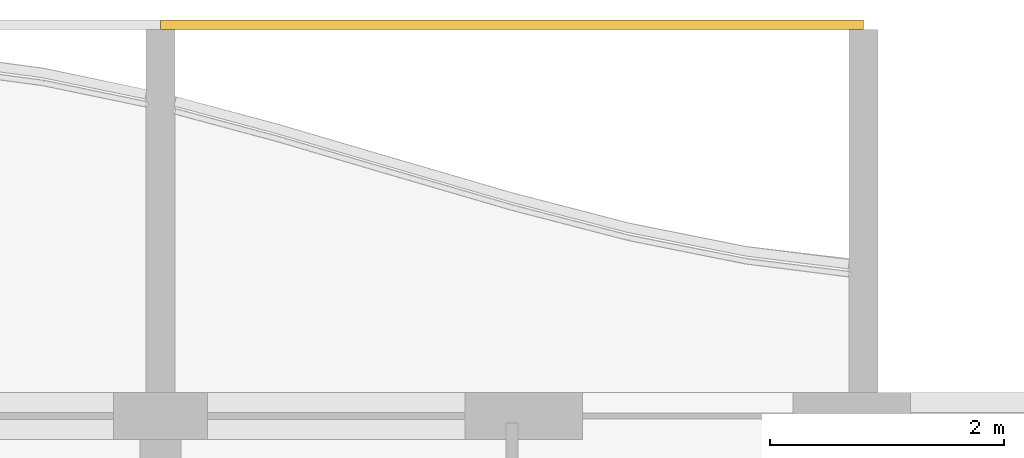
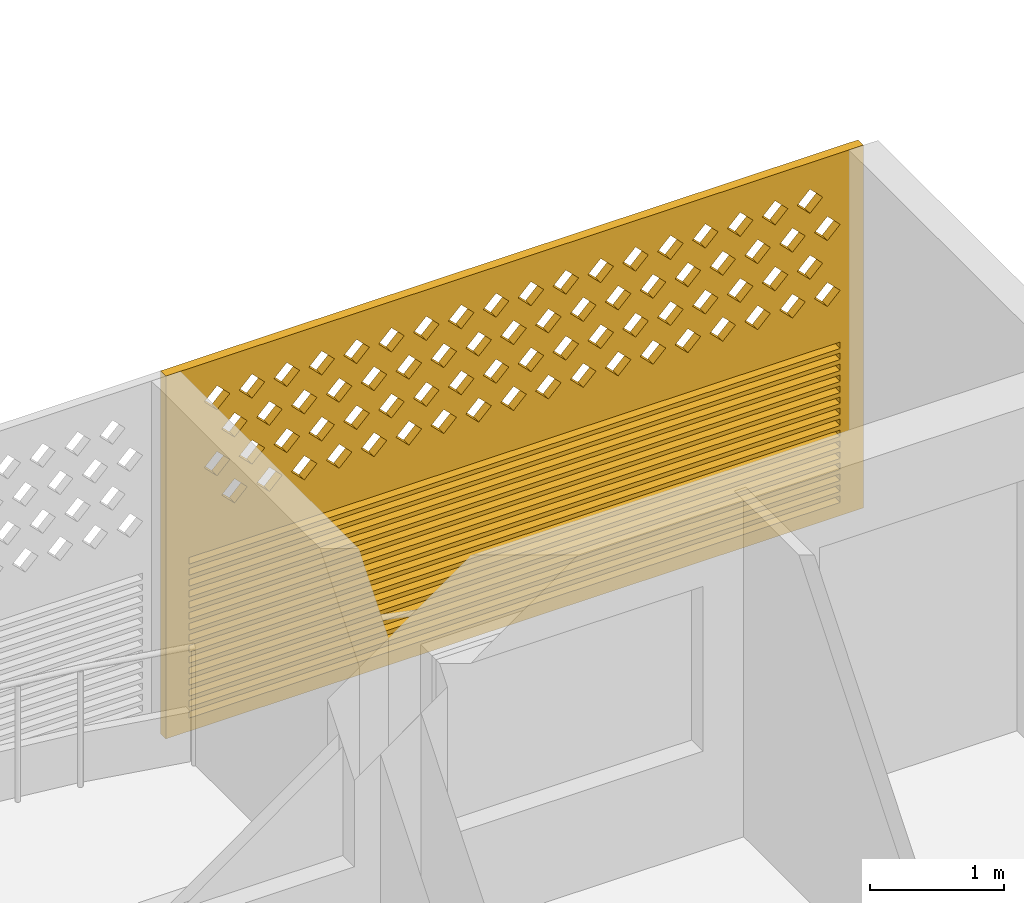
# One storey, part 24 of 29: 1 covering.
"""IFC4 building model written with IfcOpenShell, lengths in metres."""

from ifc_helpers import new_model, si_unit, direction, frame, origin, place, context, subcontext, project, spatial, polyline, outline, extrude, source, transform, mapped, material, material_profile, profile_set, type_object, element, save


model = new_model("IFC4")

# Units and contexts
model_context = context("Model", 3, precision=1e-05, world=origin(), true_north=direction((0.0, 1.0)))
body_context = subcontext(model_context, "Body", "Model", "MODEL_VIEW")
ifc_project = project(units=[si_unit("LENGTHUNIT", "METRE"), si_unit("AREAUNIT", "SQUARE_METRE"), si_unit("VOLUMEUNIT", "CUBIC_METRE"), si_unit("PLANEANGLEUNIT", "RADIAN"), si_unit("MASSUNIT", "GRAM", prefix="KILO")], contexts=[model_context])

# Site, building, storey
site_placement = place(None, origin())
site = spatial("IfcSite", under=ifc_project, at=site_placement, CompositionType="ELEMENT")
building_placement = place(site_placement, origin())
building = spatial("IfcBuilding", under=site, at=building_placement, Name="Poui Terraces", CompositionType="ELEMENT")
storey_placement = place(building_placement, frame((0.0, 0.0, 86.10009765625)))
storey = spatial("IfcBuildingStorey", under=building, at=storey_placement, Name="L23", CompositionType="ELEMENT", Elevation=86.10009765625)

# Covering
ifc_material = material(Name="Terracotta screen", Category="masonry")
ifc_material_profile = material_profile(ifc_material, outline(polyline([(-3.0, -1.64990234375), (3.0, -1.64990234375), (3.0, 1.64990234375), (-3.0, 1.64990234375), (-3.0, -1.64990234375)]), holes=[polyline([(-2.800048828125, 0.39990234375), (-2.68994140625, 0.2900390625), (-2.580078125, 0.39990234375), (-2.68994140625, 0.510009765625), (-2.800048828125, 0.39990234375)]), polyline([(-2.5, 0.39990234375), (-2.389892578125, 0.2900390625), (-2.280029296875, 0.39990234375), (-2.389892578125, 0.510009765625), (-2.5, 0.39990234375)]), polyline([(-2.199951171875, 0.39990234375), (-2.090087890625, 0.2900390625), (-1.97998046875, 0.39990234375), (-2.090087890625, 0.510009765625), (-2.199951171875, 0.39990234375)]), polyline([(-1.89990234375, 0.39990234375), (-1.7900390625, 0.2900390625), (-1.679931640625, 0.39990234375), (-1.7900390625, 0.510009765625), (-1.89990234375, 0.39990234375)]), polyline([(-1.60009765625, 0.39990234375), (-1.489990234375, 0.2900390625), (-1.3798828125, 0.39990234375), (-1.489990234375, 0.510009765625), (-1.60009765625, 0.39990234375)]), polyline([(-1.300048828125, 0.39990234375), (-1.18994140625, 0.2900390625), (-1.080078125, 0.39990234375), (-1.18994140625, 0.510009765625), (-1.300048828125, 0.39990234375)]), polyline([(-1.0, 0.39990234375), (-0.889892578125, 0.2900390625), (-0.780029296875, 0.39990234375), (-0.889892578125, 0.510009765625), (-1.0, 0.39990234375)]), polyline([(-0.699951171875, 0.39990234375), (-0.590087890625, 0.2900390625), (-0.47998046875, 0.39990234375), (-0.590087890625, 0.510009765625), (-0.699951171875, 0.39990234375)]), polyline([(-0.39990234375, 0.39990234375), (-0.2900390625, 0.2900390625), (-0.179931640625, 0.39990234375), (-0.2900390625, 0.510009765625), (-0.39990234375, 0.39990234375)]), polyline([(-0.10009765625, 0.39990234375), (0.010009765625, 0.2900390625), (0.1201171875, 0.39990234375), (0.010009765625, 0.510009765625), (-0.10009765625, 0.39990234375)]), polyline([(0.199951171875, 0.39990234375), (0.31005859375, 0.2900390625), (0.419921875, 0.39990234375), (0.31005859375, 0.510009765625), (0.199951171875, 0.39990234375)]), polyline([(0.5, 0.39990234375), (0.610107421875, 0.2900390625), (0.719970703125, 0.39990234375), (0.610107421875, 0.510009765625), (0.5, 0.39990234375)]), polyline([(0.800048828125, 0.39990234375), (0.909912109375, 0.2900390625), (1.02001953125, 0.39990234375), (0.909912109375, 0.510009765625), (0.800048828125, 0.39990234375)]), polyline([(1.10009765625, 0.39990234375), (1.2099609375, 0.2900390625), (1.320068359375, 0.39990234375), (1.2099609375, 0.510009765625), (1.10009765625, 0.39990234375)]), polyline([(1.39990234375, 0.39990234375), (1.510009765625, 0.2900390625), (1.6201171875, 0.39990234375), (1.510009765625, 0.510009765625), (1.39990234375, 0.39990234375)]), polyline([(1.699951171875, 0.39990234375), (1.81005859375, 0.2900390625), (1.919921875, 0.39990234375), (1.81005859375, 0.510009765625), (1.699951171875, 0.39990234375)]), polyline([(2.0, 0.39990234375), (2.110107421875, 0.2900390625), (2.219970703125, 0.39990234375), (2.110107421875, 0.510009765625), (2.0, 0.39990234375)]), polyline([(2.300048828125, 0.39990234375), (2.409912109375, 0.2900390625), (2.52001953125, 0.39990234375), (2.409912109375, 0.510009765625), (2.300048828125, 0.39990234375)]), polyline([(-2.64990234375, 0.699951171875), (-2.5400390625, 0.590087890625), (-2.429931640625, 0.699951171875), (-2.5400390625, 0.81005859375), (-2.64990234375, 0.699951171875)]), polyline([(-2.35009765625, 0.699951171875), (-2.239990234375, 0.590087890625), (-2.1298828125, 0.699951171875), (-2.239990234375, 0.81005859375), (-2.35009765625, 0.699951171875)]), polyline([(-2.050048828125, 0.699951171875), (-1.93994140625, 0.590087890625), (-1.830078125, 0.699951171875), (-1.93994140625, 0.81005859375), (-2.050048828125, 0.699951171875)]), polyline([(-1.75, 0.699951171875), (-1.639892578125, 0.590087890625), (-1.530029296875, 0.699951171875), (-1.639892578125, 0.81005859375), (-1.75, 0.699951171875)]), polyline([(-1.449951171875, 0.699951171875), (-1.340087890625, 0.590087890625), (-1.22998046875, 0.699951171875), (-1.340087890625, 0.81005859375), (-1.449951171875, 0.699951171875)]), polyline([(-1.14990234375, 0.699951171875), (-1.0400390625, 0.590087890625), (-0.929931640625, 0.699951171875), (-1.0400390625, 0.81005859375), (-1.14990234375, 0.699951171875)]), polyline([(-0.85009765625, 0.699951171875), (-0.739990234375, 0.590087890625), (-0.6298828125, 0.699951171875), (-0.739990234375, 0.81005859375), (-0.85009765625, 0.699951171875)]), polyline([(-0.550048828125, 0.699951171875), (-0.43994140625, 0.590087890625), (-0.330078125, 0.699951171875), (-0.43994140625, 0.81005859375), (-0.550048828125, 0.699951171875)]), polyline([(-0.25, 0.699951171875), (-0.139892578125, 0.590087890625), (-0.030029296875, 0.699951171875), (-0.139892578125, 0.81005859375), (-0.25, 0.699951171875)]), polyline([(0.050048828125, 0.699951171875), (0.159912109375, 0.590087890625), (0.27001953125, 0.699951171875), (0.159912109375, 0.81005859375), (0.050048828125, 0.699951171875)]), polyline([(0.35009765625, 0.699951171875), (0.4599609375, 0.590087890625), (0.570068359375, 0.699951171875), (0.4599609375, 0.81005859375), (0.35009765625, 0.699951171875)]), polyline([(0.64990234375, 0.699951171875), (0.760009765625, 0.590087890625), (0.8701171875, 0.699951171875), (0.760009765625, 0.81005859375), (0.64990234375, 0.699951171875)]), polyline([(0.949951171875, 0.699951171875), (1.06005859375, 0.590087890625), (1.169921875, 0.699951171875), (1.06005859375, 0.81005859375), (0.949951171875, 0.699951171875)]), polyline([(1.25, 0.699951171875), (1.360107421875, 0.590087890625), (1.469970703125, 0.699951171875), (1.360107421875, 0.81005859375), (1.25, 0.699951171875)]), polyline([(1.550048828125, 0.699951171875), (1.659912109375, 0.590087890625), (1.77001953125, 0.699951171875), (1.659912109375, 0.81005859375), (1.550048828125, 0.699951171875)]), polyline([(1.85009765625, 0.699951171875), (1.9599609375, 0.590087890625), (2.070068359375, 0.699951171875), (1.9599609375, 0.81005859375), (1.85009765625, 0.699951171875)]), polyline([(2.14990234375, 0.699951171875), (2.260009765625, 0.590087890625), (2.3701171875, 0.699951171875), (2.260009765625, 0.81005859375), (2.14990234375, 0.699951171875)]), polyline([(2.449951171875, 0.699951171875), (2.56005859375, 0.590087890625), (2.669921875, 0.699951171875), (2.56005859375, 0.81005859375), (2.449951171875, 0.699951171875)]), polyline([(-2.800048828125, 1.0), (-2.68994140625, 0.889892578125), (-2.580078125, 1.0), (-2.68994140625, 1.110107421875), (-2.800048828125, 1.0)]), polyline([(-2.5, 1.0), (-2.389892578125, 0.889892578125), (-2.280029296875, 1.0), (-2.389892578125, 1.110107421875), (-2.5, 1.0)]), polyline([(-2.199951171875, 1.0), (-2.090087890625, 0.889892578125), (-1.97998046875, 1.0), (-2.090087890625, 1.110107421875), (-2.199951171875, 1.0)]), polyline([(-1.89990234375, 1.0), (-1.7900390625, 0.889892578125), (-1.679931640625, 1.0), (-1.7900390625, 1.110107421875), (-1.89990234375, 1.0)]), polyline([(-1.60009765625, 1.0), (-1.489990234375, 0.889892578125), (-1.3798828125, 1.0), (-1.489990234375, 1.110107421875), (-1.60009765625, 1.0)]), polyline([(-1.300048828125, 1.0), (-1.18994140625, 0.889892578125), (-1.080078125, 1.0), (-1.18994140625, 1.110107421875), (-1.300048828125, 1.0)]), polyline([(-1.0, 1.0), (-0.889892578125, 0.889892578125), (-0.780029296875, 1.0), (-0.889892578125, 1.110107421875), (-1.0, 1.0)]), polyline([(-0.699951171875, 1.0), (-0.590087890625, 0.889892578125), (-0.47998046875, 1.0), (-0.590087890625, 1.110107421875), (-0.699951171875, 1.0)]), polyline([(-0.39990234375, 1.0), (-0.2900390625, 0.889892578125), (-0.179931640625, 1.0), (-0.2900390625, 1.110107421875), (-0.39990234375, 1.0)]), polyline([(-0.10009765625, 1.0), (0.010009765625, 0.889892578125), (0.1201171875, 1.0), (0.010009765625, 1.110107421875), (-0.10009765625, 1.0)]), polyline([(0.199951171875, 1.0), (0.31005859375, 0.889892578125), (0.419921875, 1.0), (0.31005859375, 1.110107421875), (0.199951171875, 1.0)]), polyline([(0.5, 1.0), (0.610107421875, 0.889892578125), (0.719970703125, 1.0), (0.610107421875, 1.110107421875), (0.5, 1.0)]), polyline([(0.800048828125, 1.0), (0.909912109375, 0.889892578125), (1.02001953125, 1.0), (0.909912109375, 1.110107421875), (0.800048828125, 1.0)]), polyline([(1.10009765625, 1.0), (1.2099609375, 0.889892578125), (1.320068359375, 1.0), (1.2099609375, 1.110107421875), (1.10009765625, 1.0)]), polyline([(1.39990234375, 1.0), (1.510009765625, 0.889892578125), (1.6201171875, 1.0), (1.510009765625, 1.110107421875), (1.39990234375, 1.0)]), polyline([(1.699951171875, 1.0), (1.81005859375, 0.889892578125), (1.919921875, 1.0), (1.81005859375, 1.110107421875), (1.699951171875, 1.0)]), polyline([(2.0, 1.0), (2.110107421875, 0.889892578125), (2.219970703125, 1.0), (2.110107421875, 1.110107421875), (2.0, 1.0)]), polyline([(2.300048828125, 1.0), (2.409912109375, 0.889892578125), (2.52001953125, 1.0), (2.409912109375, 1.110107421875), (2.300048828125, 1.0)]), polyline([(-2.64990234375, 1.300048828125), (-2.5400390625, 1.18994140625), (-2.429931640625, 1.300048828125), (-2.5400390625, 1.409912109375), (-2.64990234375, 1.300048828125)]), polyline([(-2.35009765625, 1.300048828125), (-2.239990234375, 1.18994140625), (-2.1298828125, 1.300048828125), (-2.239990234375, 1.409912109375), (-2.35009765625, 1.300048828125)]), polyline([(-2.050048828125, 1.300048828125), (-1.93994140625, 1.18994140625), (-1.830078125, 1.300048828125), (-1.93994140625, 1.409912109375), (-2.050048828125, 1.300048828125)]), polyline([(-1.75, 1.300048828125), (-1.639892578125, 1.18994140625), (-1.530029296875, 1.300048828125), (-1.639892578125, 1.409912109375), (-1.75, 1.300048828125)]), polyline([(-1.449951171875, 1.300048828125), (-1.340087890625, 1.18994140625), (-1.22998046875, 1.300048828125), (-1.340087890625, 1.409912109375), (-1.449951171875, 1.300048828125)]), polyline([(-1.14990234375, 1.300048828125), (-1.0400390625, 1.18994140625), (-0.929931640625, 1.300048828125), (-1.0400390625, 1.409912109375), (-1.14990234375, 1.300048828125)]), polyline([(-0.85009765625, 1.300048828125), (-0.739990234375, 1.18994140625), (-0.6298828125, 1.300048828125), (-0.739990234375, 1.409912109375), (-0.85009765625, 1.300048828125)]), polyline([(-0.550048828125, 1.300048828125), (-0.43994140625, 1.18994140625), (-0.330078125, 1.300048828125), (-0.43994140625, 1.409912109375), (-0.550048828125, 1.300048828125)]), polyline([(-0.25, 1.300048828125), (-0.139892578125, 1.18994140625), (-0.030029296875, 1.300048828125), (-0.139892578125, 1.409912109375), (-0.25, 1.300048828125)]), polyline([(0.050048828125, 1.300048828125), (0.159912109375, 1.18994140625), (0.27001953125, 1.300048828125), (0.159912109375, 1.409912109375), (0.050048828125, 1.300048828125)]), polyline([(0.35009765625, 1.300048828125), (0.4599609375, 1.18994140625), (0.570068359375, 1.300048828125), (0.4599609375, 1.409912109375), (0.35009765625, 1.300048828125)]), polyline([(0.64990234375, 1.300048828125), (0.760009765625, 1.18994140625), (0.8701171875, 1.300048828125), (0.760009765625, 1.409912109375), (0.64990234375, 1.300048828125)]), polyline([(0.949951171875, 1.300048828125), (1.06005859375, 1.18994140625), (1.169921875, 1.300048828125), (1.06005859375, 1.409912109375), (0.949951171875, 1.300048828125)]), polyline([(1.25, 1.300048828125), (1.360107421875, 1.18994140625), (1.469970703125, 1.300048828125), (1.360107421875, 1.409912109375), (1.25, 1.300048828125)]), polyline([(1.550048828125, 1.300048828125), (1.659912109375, 1.18994140625), (1.77001953125, 1.300048828125), (1.659912109375, 1.409912109375), (1.550048828125, 1.300048828125)]), polyline([(1.85009765625, 1.300048828125), (1.9599609375, 1.18994140625), (2.070068359375, 1.300048828125), (1.9599609375, 1.409912109375), (1.85009765625, 1.300048828125)]), polyline([(2.14990234375, 1.300048828125), (2.260009765625, 1.18994140625), (2.3701171875, 1.300048828125), (2.260009765625, 1.409912109375), (2.14990234375, 1.300048828125)]), polyline([(2.449951171875, 1.300048828125), (2.56005859375, 1.18994140625), (2.669921875, 1.300048828125), (2.56005859375, 1.409912109375), (2.449951171875, 1.300048828125)]), polyline([(-2.800048828125, -1.530029296875), (2.800048828125, -1.530029296875), (2.800048828125, -1.469970703125), (-2.800048828125, -1.469970703125), (-2.800048828125, -1.530029296875)]), polyline([(-2.800048828125, -1.429931640625), (2.800048828125, -1.429931640625), (2.800048828125, -1.3701171875), (-2.800048828125, -1.3701171875), (-2.800048828125, -1.429931640625)]), polyline([(-2.800048828125, -1.330078125), (2.800048828125, -1.330078125), (2.800048828125, -1.27001953125), (-2.800048828125, -1.27001953125), (-2.800048828125, -1.330078125)]), polyline([(-2.800048828125, -1.22998046875), (2.800048828125, -1.22998046875), (2.800048828125, -1.169921875), (-2.800048828125, -1.169921875), (-2.800048828125, -1.22998046875)]), polyline([(-2.800048828125, -1.1298828125), (2.800048828125, -1.1298828125), (2.800048828125, -1.070068359375), (-2.800048828125, -1.070068359375), (-2.800048828125, -1.1298828125)]), polyline([(-2.800048828125, -1.030029296875), (2.800048828125, -1.030029296875), (2.800048828125, -0.969970703125), (-2.800048828125, -0.969970703125), (-2.800048828125, -1.030029296875)]), polyline([(-2.800048828125, -0.929931640625), (2.800048828125, -0.929931640625), (2.800048828125, -0.8701171875), (-2.800048828125, -0.8701171875), (-2.800048828125, -0.929931640625)]), polyline([(-2.800048828125, -0.830078125), (2.800048828125, -0.830078125), (2.800048828125, -0.77001953125), (-2.800048828125, -0.77001953125), (-2.800048828125, -0.830078125)]), polyline([(-2.800048828125, -0.72998046875), (2.800048828125, -0.72998046875), (2.800048828125, -0.669921875), (-2.800048828125, -0.669921875), (-2.800048828125, -0.72998046875)]), polyline([(-2.800048828125, -0.6298828125), (2.800048828125, -0.6298828125), (2.800048828125, -0.570068359375), (-2.800048828125, -0.570068359375), (-2.800048828125, -0.6298828125)]), polyline([(-2.800048828125, -0.530029296875), (2.800048828125, -0.530029296875), (2.800048828125, -0.469970703125), (-2.800048828125, -0.469970703125), (-2.800048828125, -0.530029296875)]), polyline([(-2.800048828125, -0.429931640625), (2.800048828125, -0.429931640625), (2.800048828125, -0.3701171875), (-2.800048828125, -0.3701171875), (-2.800048828125, -0.429931640625)]), polyline([(-2.800048828125, -0.330078125), (2.800048828125, -0.330078125), (2.800048828125, -0.27001953125), (-2.800048828125, -0.27001953125), (-2.800048828125, -0.330078125)]), polyline([(-2.800048828125, -0.22998046875), (2.800048828125, -0.22998046875), (2.800048828125, -0.169921875), (-2.800048828125, -0.169921875), (-2.800048828125, -0.22998046875)]), polyline([(-2.800048828125, -0.1298828125), (2.800048828125, -0.1298828125), (2.800048828125, -0.070068359375), (-2.800048828125, -0.070068359375), (-2.800048828125, -0.1298828125)])]), Name="TERRACOTTA SCREEN AND JALOUSIE LOUVRE 6000X3300")
ifc_profile_set = profile_set([ifc_material_profile], Name="Terracotta screen")
covering_type = type_object("IfcCoveringType", Name="TERRACOTTA SCREEN AND JALOUSIE LOUVRE 6000X3300", PredefinedType="CLADDING", material=ifc_profile_set)
shared_shape = source(origin(), body_context, "Body", "SweptSolid", [
    extrude(outline(polyline([(-3.0, -1.64990234375), (3.0, -1.64990234375), (3.0, 1.64990234375), (-3.0, 1.64990234375), (-3.0, -1.64990234375)]), holes=[polyline([(-2.800048828125, 0.39990234375), (-2.68994140625, 0.2900390625), (-2.580078125, 0.39990234375), (-2.68994140625, 0.510009765625), (-2.800048828125, 0.39990234375)]), polyline([(-2.5, 0.39990234375), (-2.389892578125, 0.2900390625), (-2.280029296875, 0.39990234375), (-2.389892578125, 0.510009765625), (-2.5, 0.39990234375)]), polyline([(-2.199951171875, 0.39990234375), (-2.090087890625, 0.2900390625), (-1.97998046875, 0.39990234375), (-2.090087890625, 0.510009765625), (-2.199951171875, 0.39990234375)]), polyline([(-1.89990234375, 0.39990234375), (-1.7900390625, 0.2900390625), (-1.679931640625, 0.39990234375), (-1.7900390625, 0.510009765625), (-1.89990234375, 0.39990234375)]), polyline([(-1.60009765625, 0.39990234375), (-1.489990234375, 0.2900390625), (-1.3798828125, 0.39990234375), (-1.489990234375, 0.510009765625), (-1.60009765625, 0.39990234375)]), polyline([(-1.300048828125, 0.39990234375), (-1.18994140625, 0.2900390625), (-1.080078125, 0.39990234375), (-1.18994140625, 0.510009765625), (-1.300048828125, 0.39990234375)]), polyline([(-1.0, 0.39990234375), (-0.889892578125, 0.2900390625), (-0.780029296875, 0.39990234375), (-0.889892578125, 0.510009765625), (-1.0, 0.39990234375)]), polyline([(-0.699951171875, 0.39990234375), (-0.590087890625, 0.2900390625), (-0.47998046875, 0.39990234375), (-0.590087890625, 0.510009765625), (-0.699951171875, 0.39990234375)]), polyline([(-0.39990234375, 0.39990234375), (-0.2900390625, 0.2900390625), (-0.179931640625, 0.39990234375), (-0.2900390625, 0.510009765625), (-0.39990234375, 0.39990234375)]), polyline([(-0.10009765625, 0.39990234375), (0.010009765625, 0.2900390625), (0.1201171875, 0.39990234375), (0.010009765625, 0.510009765625), (-0.10009765625, 0.39990234375)]), polyline([(0.199951171875, 0.39990234375), (0.31005859375, 0.2900390625), (0.419921875, 0.39990234375), (0.31005859375, 0.510009765625), (0.199951171875, 0.39990234375)]), polyline([(0.5, 0.39990234375), (0.610107421875, 0.2900390625), (0.719970703125, 0.39990234375), (0.610107421875, 0.510009765625), (0.5, 0.39990234375)]), polyline([(0.800048828125, 0.39990234375), (0.909912109375, 0.2900390625), (1.02001953125, 0.39990234375), (0.909912109375, 0.510009765625), (0.800048828125, 0.39990234375)]), polyline([(1.10009765625, 0.39990234375), (1.2099609375, 0.2900390625), (1.320068359375, 0.39990234375), (1.2099609375, 0.510009765625), (1.10009765625, 0.39990234375)]), polyline([(1.39990234375, 0.39990234375), (1.510009765625, 0.2900390625), (1.6201171875, 0.39990234375), (1.510009765625, 0.510009765625), (1.39990234375, 0.39990234375)]), polyline([(1.699951171875, 0.39990234375), (1.81005859375, 0.2900390625), (1.919921875, 0.39990234375), (1.81005859375, 0.510009765625), (1.699951171875, 0.39990234375)]), polyline([(2.0, 0.39990234375), (2.110107421875, 0.2900390625), (2.219970703125, 0.39990234375), (2.110107421875, 0.510009765625), (2.0, 0.39990234375)]), polyline([(2.300048828125, 0.39990234375), (2.409912109375, 0.2900390625), (2.52001953125, 0.39990234375), (2.409912109375, 0.510009765625), (2.300048828125, 0.39990234375)]), polyline([(-2.64990234375, 0.699951171875), (-2.5400390625, 0.590087890625), (-2.429931640625, 0.699951171875), (-2.5400390625, 0.81005859375), (-2.64990234375, 0.699951171875)]), polyline([(-2.35009765625, 0.699951171875), (-2.239990234375, 0.590087890625), (-2.1298828125, 0.699951171875), (-2.239990234375, 0.81005859375), (-2.35009765625, 0.699951171875)]), polyline([(-2.050048828125, 0.699951171875), (-1.93994140625, 0.590087890625), (-1.830078125, 0.699951171875), (-1.93994140625, 0.81005859375), (-2.050048828125, 0.699951171875)]), polyline([(-1.75, 0.699951171875), (-1.639892578125, 0.590087890625), (-1.530029296875, 0.699951171875), (-1.639892578125, 0.81005859375), (-1.75, 0.699951171875)]), polyline([(-1.449951171875, 0.699951171875), (-1.340087890625, 0.590087890625), (-1.22998046875, 0.699951171875), (-1.340087890625, 0.81005859375), (-1.449951171875, 0.699951171875)]), polyline([(-1.14990234375, 0.699951171875), (-1.0400390625, 0.590087890625), (-0.929931640625, 0.699951171875), (-1.0400390625, 0.81005859375), (-1.14990234375, 0.699951171875)]), polyline([(-0.85009765625, 0.699951171875), (-0.739990234375, 0.590087890625), (-0.6298828125, 0.699951171875), (-0.739990234375, 0.81005859375), (-0.85009765625, 0.699951171875)]), polyline([(-0.550048828125, 0.699951171875), (-0.43994140625, 0.590087890625), (-0.330078125, 0.699951171875), (-0.43994140625, 0.81005859375), (-0.550048828125, 0.699951171875)]), polyline([(-0.25, 0.699951171875), (-0.139892578125, 0.590087890625), (-0.030029296875, 0.699951171875), (-0.139892578125, 0.81005859375), (-0.25, 0.699951171875)]), polyline([(0.050048828125, 0.699951171875), (0.159912109375, 0.590087890625), (0.27001953125, 0.699951171875), (0.159912109375, 0.81005859375), (0.050048828125, 0.699951171875)]), polyline([(0.35009765625, 0.699951171875), (0.4599609375, 0.590087890625), (0.570068359375, 0.699951171875), (0.4599609375, 0.81005859375), (0.35009765625, 0.699951171875)]), polyline([(0.64990234375, 0.699951171875), (0.760009765625, 0.590087890625), (0.8701171875, 0.699951171875), (0.760009765625, 0.81005859375), (0.64990234375, 0.699951171875)]), polyline([(0.949951171875, 0.699951171875), (1.06005859375, 0.590087890625), (1.169921875, 0.699951171875), (1.06005859375, 0.81005859375), (0.949951171875, 0.699951171875)]), polyline([(1.25, 0.699951171875), (1.360107421875, 0.590087890625), (1.469970703125, 0.699951171875), (1.360107421875, 0.81005859375), (1.25, 0.699951171875)]), polyline([(1.550048828125, 0.699951171875), (1.659912109375, 0.590087890625), (1.77001953125, 0.699951171875), (1.659912109375, 0.81005859375), (1.550048828125, 0.699951171875)]), polyline([(1.85009765625, 0.699951171875), (1.9599609375, 0.590087890625), (2.070068359375, 0.699951171875), (1.9599609375, 0.81005859375), (1.85009765625, 0.699951171875)]), polyline([(2.14990234375, 0.699951171875), (2.260009765625, 0.590087890625), (2.3701171875, 0.699951171875), (2.260009765625, 0.81005859375), (2.14990234375, 0.699951171875)]), polyline([(2.449951171875, 0.699951171875), (2.56005859375, 0.590087890625), (2.669921875, 0.699951171875), (2.56005859375, 0.81005859375), (2.449951171875, 0.699951171875)]), polyline([(-2.800048828125, 1.0), (-2.68994140625, 0.889892578125), (-2.580078125, 1.0), (-2.68994140625, 1.110107421875), (-2.800048828125, 1.0)]), polyline([(-2.5, 1.0), (-2.389892578125, 0.889892578125), (-2.280029296875, 1.0), (-2.389892578125, 1.110107421875), (-2.5, 1.0)]), polyline([(-2.199951171875, 1.0), (-2.090087890625, 0.889892578125), (-1.97998046875, 1.0), (-2.090087890625, 1.110107421875), (-2.199951171875, 1.0)]), polyline([(-1.89990234375, 1.0), (-1.7900390625, 0.889892578125), (-1.679931640625, 1.0), (-1.7900390625, 1.110107421875), (-1.89990234375, 1.0)]), polyline([(-1.60009765625, 1.0), (-1.489990234375, 0.889892578125), (-1.3798828125, 1.0), (-1.489990234375, 1.110107421875), (-1.60009765625, 1.0)]), polyline([(-1.300048828125, 1.0), (-1.18994140625, 0.889892578125), (-1.080078125, 1.0), (-1.18994140625, 1.110107421875), (-1.300048828125, 1.0)]), polyline([(-1.0, 1.0), (-0.889892578125, 0.889892578125), (-0.780029296875, 1.0), (-0.889892578125, 1.110107421875), (-1.0, 1.0)]), polyline([(-0.699951171875, 1.0), (-0.590087890625, 0.889892578125), (-0.47998046875, 1.0), (-0.590087890625, 1.110107421875), (-0.699951171875, 1.0)]), polyline([(-0.39990234375, 1.0), (-0.2900390625, 0.889892578125), (-0.179931640625, 1.0), (-0.2900390625, 1.110107421875), (-0.39990234375, 1.0)]), polyline([(-0.10009765625, 1.0), (0.010009765625, 0.889892578125), (0.1201171875, 1.0), (0.010009765625, 1.110107421875), (-0.10009765625, 1.0)]), polyline([(0.199951171875, 1.0), (0.31005859375, 0.889892578125), (0.419921875, 1.0), (0.31005859375, 1.110107421875), (0.199951171875, 1.0)]), polyline([(0.5, 1.0), (0.610107421875, 0.889892578125), (0.719970703125, 1.0), (0.610107421875, 1.110107421875), (0.5, 1.0)]), polyline([(0.800048828125, 1.0), (0.909912109375, 0.889892578125), (1.02001953125, 1.0), (0.909912109375, 1.110107421875), (0.800048828125, 1.0)]), polyline([(1.10009765625, 1.0), (1.2099609375, 0.889892578125), (1.320068359375, 1.0), (1.2099609375, 1.110107421875), (1.10009765625, 1.0)]), polyline([(1.39990234375, 1.0), (1.510009765625, 0.889892578125), (1.6201171875, 1.0), (1.510009765625, 1.110107421875), (1.39990234375, 1.0)]), polyline([(1.699951171875, 1.0), (1.81005859375, 0.889892578125), (1.919921875, 1.0), (1.81005859375, 1.110107421875), (1.699951171875, 1.0)]), polyline([(2.0, 1.0), (2.110107421875, 0.889892578125), (2.219970703125, 1.0), (2.110107421875, 1.110107421875), (2.0, 1.0)]), polyline([(2.300048828125, 1.0), (2.409912109375, 0.889892578125), (2.52001953125, 1.0), (2.409912109375, 1.110107421875), (2.300048828125, 1.0)]), polyline([(-2.64990234375, 1.300048828125), (-2.5400390625, 1.18994140625), (-2.429931640625, 1.300048828125), (-2.5400390625, 1.409912109375), (-2.64990234375, 1.300048828125)]), polyline([(-2.35009765625, 1.300048828125), (-2.239990234375, 1.18994140625), (-2.1298828125, 1.300048828125), (-2.239990234375, 1.409912109375), (-2.35009765625, 1.300048828125)]), polyline([(-2.050048828125, 1.300048828125), (-1.93994140625, 1.18994140625), (-1.830078125, 1.300048828125), (-1.93994140625, 1.409912109375), (-2.050048828125, 1.300048828125)]), polyline([(-1.75, 1.300048828125), (-1.639892578125, 1.18994140625), (-1.530029296875, 1.300048828125), (-1.639892578125, 1.409912109375), (-1.75, 1.300048828125)]), polyline([(-1.449951171875, 1.300048828125), (-1.340087890625, 1.18994140625), (-1.22998046875, 1.300048828125), (-1.340087890625, 1.409912109375), (-1.449951171875, 1.300048828125)]), polyline([(-1.14990234375, 1.300048828125), (-1.0400390625, 1.18994140625), (-0.929931640625, 1.300048828125), (-1.0400390625, 1.409912109375), (-1.14990234375, 1.300048828125)]), polyline([(-0.85009765625, 1.300048828125), (-0.739990234375, 1.18994140625), (-0.6298828125, 1.300048828125), (-0.739990234375, 1.409912109375), (-0.85009765625, 1.300048828125)]), polyline([(-0.550048828125, 1.300048828125), (-0.43994140625, 1.18994140625), (-0.330078125, 1.300048828125), (-0.43994140625, 1.409912109375), (-0.550048828125, 1.300048828125)]), polyline([(-0.25, 1.300048828125), (-0.139892578125, 1.18994140625), (-0.030029296875, 1.300048828125), (-0.139892578125, 1.409912109375), (-0.25, 1.300048828125)]), polyline([(0.050048828125, 1.300048828125), (0.159912109375, 1.18994140625), (0.27001953125, 1.300048828125), (0.159912109375, 1.409912109375), (0.050048828125, 1.300048828125)]), polyline([(0.35009765625, 1.300048828125), (0.4599609375, 1.18994140625), (0.570068359375, 1.300048828125), (0.4599609375, 1.409912109375), (0.35009765625, 1.300048828125)]), polyline([(0.64990234375, 1.300048828125), (0.760009765625, 1.18994140625), (0.8701171875, 1.300048828125), (0.760009765625, 1.409912109375), (0.64990234375, 1.300048828125)]), polyline([(0.949951171875, 1.300048828125), (1.06005859375, 1.18994140625), (1.169921875, 1.300048828125), (1.06005859375, 1.409912109375), (0.949951171875, 1.300048828125)]), polyline([(1.25, 1.300048828125), (1.360107421875, 1.18994140625), (1.469970703125, 1.300048828125), (1.360107421875, 1.409912109375), (1.25, 1.300048828125)]), polyline([(1.550048828125, 1.300048828125), (1.659912109375, 1.18994140625), (1.77001953125, 1.300048828125), (1.659912109375, 1.409912109375), (1.550048828125, 1.300048828125)]), polyline([(1.85009765625, 1.300048828125), (1.9599609375, 1.18994140625), (2.070068359375, 1.300048828125), (1.9599609375, 1.409912109375), (1.85009765625, 1.300048828125)]), polyline([(2.14990234375, 1.300048828125), (2.260009765625, 1.18994140625), (2.3701171875, 1.300048828125), (2.260009765625, 1.409912109375), (2.14990234375, 1.300048828125)]), polyline([(2.449951171875, 1.300048828125), (2.56005859375, 1.18994140625), (2.669921875, 1.300048828125), (2.56005859375, 1.409912109375), (2.449951171875, 1.300048828125)]), polyline([(-2.800048828125, -1.530029296875), (2.800048828125, -1.530029296875), (2.800048828125, -1.469970703125), (-2.800048828125, -1.469970703125), (-2.800048828125, -1.530029296875)]), polyline([(-2.800048828125, -1.429931640625), (2.800048828125, -1.429931640625), (2.800048828125, -1.3701171875), (-2.800048828125, -1.3701171875), (-2.800048828125, -1.429931640625)]), polyline([(-2.800048828125, -1.330078125), (2.800048828125, -1.330078125), (2.800048828125, -1.27001953125), (-2.800048828125, -1.27001953125), (-2.800048828125, -1.330078125)]), polyline([(-2.800048828125, -1.22998046875), (2.800048828125, -1.22998046875), (2.800048828125, -1.169921875), (-2.800048828125, -1.169921875), (-2.800048828125, -1.22998046875)]), polyline([(-2.800048828125, -1.1298828125), (2.800048828125, -1.1298828125), (2.800048828125, -1.070068359375), (-2.800048828125, -1.070068359375), (-2.800048828125, -1.1298828125)]), polyline([(-2.800048828125, -1.030029296875), (2.800048828125, -1.030029296875), (2.800048828125, -0.969970703125), (-2.800048828125, -0.969970703125), (-2.800048828125, -1.030029296875)]), polyline([(-2.800048828125, -0.929931640625), (2.800048828125, -0.929931640625), (2.800048828125, -0.8701171875), (-2.800048828125, -0.8701171875), (-2.800048828125, -0.929931640625)]), polyline([(-2.800048828125, -0.830078125), (2.800048828125, -0.830078125), (2.800048828125, -0.77001953125), (-2.800048828125, -0.77001953125), (-2.800048828125, -0.830078125)]), polyline([(-2.800048828125, -0.72998046875), (2.800048828125, -0.72998046875), (2.800048828125, -0.669921875), (-2.800048828125, -0.669921875), (-2.800048828125, -0.72998046875)]), polyline([(-2.800048828125, -0.6298828125), (2.800048828125, -0.6298828125), (2.800048828125, -0.570068359375), (-2.800048828125, -0.570068359375), (-2.800048828125, -0.6298828125)]), polyline([(-2.800048828125, -0.530029296875), (2.800048828125, -0.530029296875), (2.800048828125, -0.469970703125), (-2.800048828125, -0.469970703125), (-2.800048828125, -0.530029296875)]), polyline([(-2.800048828125, -0.429931640625), (2.800048828125, -0.429931640625), (2.800048828125, -0.3701171875), (-2.800048828125, -0.3701171875), (-2.800048828125, -0.429931640625)]), polyline([(-2.800048828125, -0.330078125), (2.800048828125, -0.330078125), (2.800048828125, -0.27001953125), (-2.800048828125, -0.27001953125), (-2.800048828125, -0.330078125)]), polyline([(-2.800048828125, -0.22998046875), (2.800048828125, -0.22998046875), (2.800048828125, -0.169921875), (-2.800048828125, -0.169921875), (-2.800048828125, -0.22998046875)]), polyline([(-2.800048828125, -0.1298828125), (2.800048828125, -0.1298828125), (2.800048828125, -0.070068359375), (-2.800048828125, -0.070068359375), (-2.800048828125, -0.1298828125)])]), origin(), (0.0, 0.0, 1.0), 0.080078125),
])
covering_placement = place(storey_placement, frame((39.0, 46.89990234375, 1.449951171875), z_axis=(0.0, 1.0, 0.0), x_axis=(-1.0, 0.0, 0.0)))
element("IfcCovering", 1, at=covering_placement, inside=storey, type_object=covering_type, Name="SOLAR SCREEN AND JALOUSIE LOUVRE", PredefinedType="CLADDING", context=body_context, shape_type="MappedRepresentation", body=[
    mapped(shared_shape, transform((0.0, 0.0, 0.0))),
])

save(model, "model.ifc")
